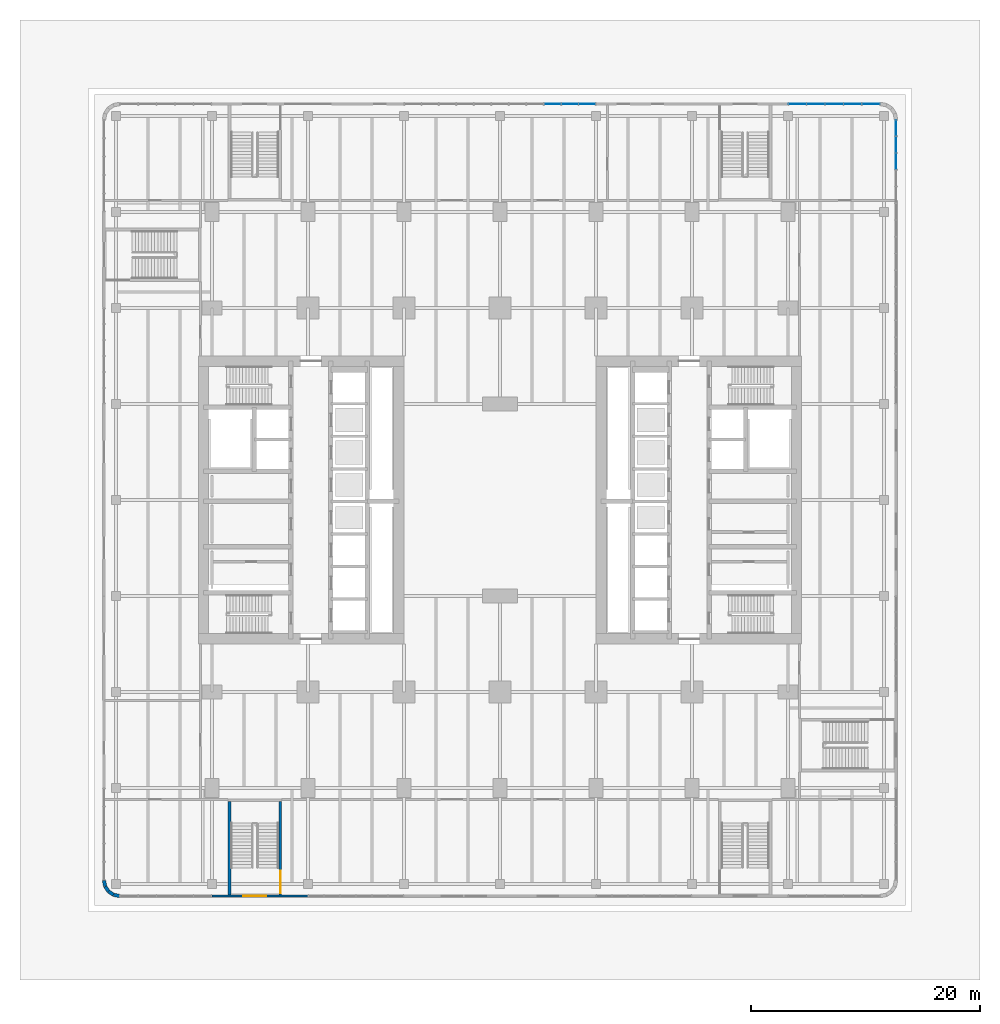
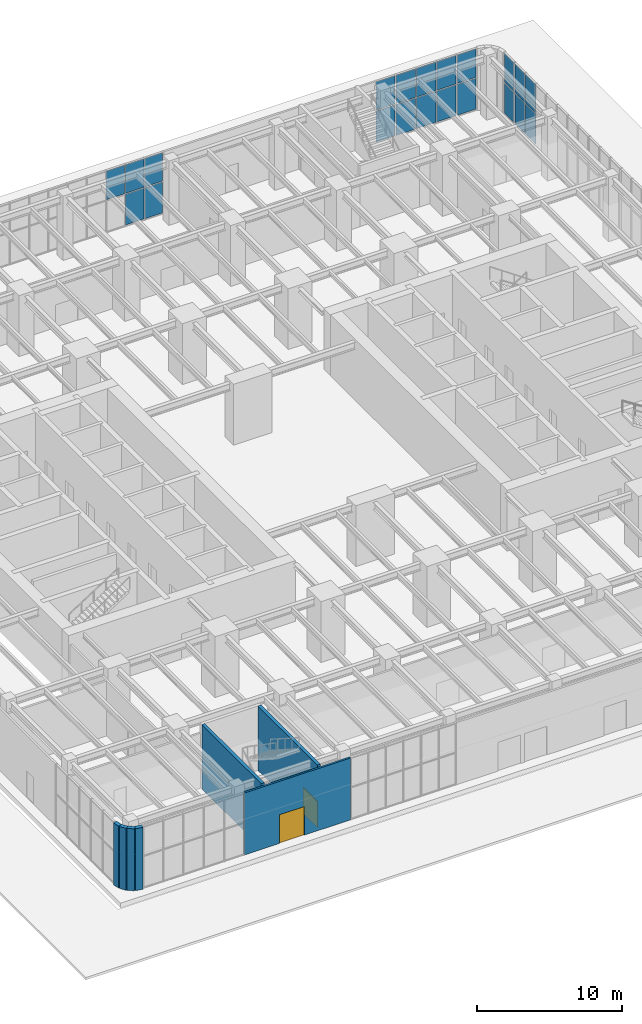
# One storey, part 17 of 31: 21 plates, 7 walls, 2 doors, 2 openings, 3 elements without a shape of their own.
"""IFC4 building model written with IfcOpenShell, lengths in metres."""

from ifc_helpers import new_model, si_unit, direction, frame, frame_2d, origin, origin_2d, place, context, subcontext, project, spatial, rectangle, extrude, material, layer, layer_set, type_object, element, fill, aggregate, save


model = new_model("IFC4")

# Units and contexts
model_context = context("Model", 3, precision=1e-05, world=origin(), true_north=direction((0.0, 1.0)))
body_context = subcontext(model_context, "Body", "Model", "MODEL_VIEW")
ifc_project = project(units=[si_unit("LENGTHUNIT", "METRE"), si_unit("AREAUNIT", "SQUARE_METRE"), si_unit("VOLUMEUNIT", "CUBIC_METRE"), si_unit("PLANEANGLEUNIT", "RADIAN"), si_unit("MASSUNIT", "GRAM", prefix="KILO")], contexts=[model_context])

# Site, building, storey
site_placement = place(None, origin())
site = spatial("IfcSite", under=ifc_project, at=site_placement, CompositionType="ELEMENT")
building_placement = place(site_placement, origin())
building = spatial("IfcBuilding", under=site, at=building_placement, Name="Claustro Exchange Tower", CompositionType="ELEMENT")
storey_placement = place(building_placement, origin())
storey = spatial("IfcBuildingStorey", under=building, at=storey_placement, Name="L00", CompositionType="ELEMENT", Elevation=0.0)

# Curtain wall, plates
ifc_material_1 = material(Name="Aluminium frame, clear double glazing", Category="aluminium")
curtain_wall_type = type_object("IfcCurtainWallType", Name="CW1 storefront curtain wall", PredefinedType="USERDEFINED", material=ifc_material_1)
curtain_wall_1_placement = place(storey_placement, origin())
curtain_wall_1 = element("IfcCurtainWall", 1, at=curtain_wall_1_placement, inside=storey, type_object=curtain_wall_type, Name="Curtain wall CW1 L00", ObjectType="STICK CURTAIN WALL", PredefinedType="USERDEFINED")
ifc_material_2 = material(Name="Clear double glazing", Category="glass")
ifc_layer_1 = layer(ifc_material_2, 0.031982421875)
ifc_layer_set_1 = layer_set([ifc_layer_1], Name="Clear double glazing")
plate_type = type_object("IfcPlateType", Name="CW1-P 32 glazed panel", PredefinedType="CURTAIN_PANEL", material=ifc_layer_set_1)
plate_1_placement = place(storey_placement, frame((29.78173828125, 59.85009765625, 2.7373046875), z_axis=(0.0, 0.0, 1.0), x_axis=(1.0, 0.0, 0.0)))
plate_1 = element("IfcPlate", 2, at=plate_1_placement, type_object=plate_type, Name="CW1 panel 9.2", PredefinedType="CURTAIN_PANEL", context=body_context, shape_type="SweptSolid", body=[
    extrude(rectangle(XDim=1.452392578125, YDim=0.031982421875, at=origin_2d()), origin(), (0.0, 0.0, 1.0), 2.387451171875),
])
plate_2_placement = place(storey_placement, frame((31.30908203125, 59.85009765625, 0.074951171875), z_axis=(0.0, 0.0, 1.0), x_axis=(1.0, 0.0, 0.0)))
plate_2 = element("IfcPlate", 3, at=plate_2_placement, type_object=plate_type, Name="CW1 panel 10.1", PredefinedType="CURTAIN_PANEL", context=body_context, shape_type="SweptSolid", body=[
    extrude(rectangle(XDim=1.452392578125, YDim=0.031982421875, at=origin_2d()), origin(), (0.0, 0.0, 1.0), 2.58740234375),
])
plate_3_placement = place(storey_placement, frame((31.30908203125, 59.85009765625, 2.7373046875), z_axis=(0.0, 0.0, 1.0), x_axis=(1.0, 0.0, 0.0)))
plate_3 = element("IfcPlate", 4, at=plate_3_placement, type_object=plate_type, Name="CW1 panel 10.2", PredefinedType="CURTAIN_PANEL", context=body_context, shape_type="SweptSolid", body=[
    extrude(rectangle(XDim=1.452392578125, YDim=0.031982421875, at=origin_2d()), origin(), (0.0, 0.0, 1.0), 2.387451171875),
])
plate_4_placement = place(storey_placement, frame((32.817626953125, 59.85009765625, 0.074951171875), z_axis=(0.0, 0.0, 1.0), x_axis=(1.0, 0.0, 0.0)))
plate_4 = element("IfcPlate", 5, at=plate_4_placement, type_object=plate_type, Name="CW1 panel 11.1", PredefinedType="CURTAIN_PANEL", context=body_context, shape_type="SweptSolid", body=[
    extrude(rectangle(XDim=1.414794921875, YDim=0.031982421875, at=origin_2d()), origin(), (0.0, 0.0, 1.0), 2.58740234375),
])
plate_5_placement = place(storey_placement, frame((32.817626953125, 59.85009765625, 2.7373046875), z_axis=(0.0, 0.0, 1.0), x_axis=(1.0, 0.0, 0.0)))
plate_5 = element("IfcPlate", 6, at=plate_5_placement, type_object=plate_type, Name="CW1 panel 11.2", PredefinedType="CURTAIN_PANEL", context=body_context, shape_type="SweptSolid", body=[
    extrude(rectangle(XDim=1.414794921875, YDim=0.031982421875, at=origin_2d()), origin(), (0.0, 0.0, 1.0), 2.387451171875),
])
aggregate(curtain_wall_1, [plate_1, plate_2, plate_3, plate_4, plate_5])

curtain_wall_2_placement = place(storey_placement, origin())
curtain_wall_2 = element("IfcCurtainWall", 7, at=curtain_wall_2_placement, inside=storey, type_object=curtain_wall_type, Name="Curtain wall CW1 L00", ObjectType="STICK CURTAIN WALL", PredefinedType="USERDEFINED")
plate_6_placement = place(storey_placement, frame((51.227294921875, 59.85009765625, 0.074951171875), z_axis=(0.0, 0.0, 1.0), x_axis=(1.0, 0.0, 0.0)))
plate_6 = element("IfcPlate", 8, at=plate_6_placement, type_object=plate_type, Name="CW1 panel 1.1", PredefinedType="CURTAIN_PANEL", context=body_context, shape_type="SweptSolid", body=[
    extrude(rectangle(XDim=1.504638671875, YDim=0.031982421875, at=origin_2d()), origin(), (0.0, 0.0, 1.0), 2.58740234375),
])
plate_7_placement = place(storey_placement, frame((51.227294921875, 59.85009765625, 2.7373046875), z_axis=(0.0, 0.0, 1.0), x_axis=(1.0, 0.0, 0.0)))
plate_7 = element("IfcPlate", 9, at=plate_7_placement, type_object=plate_type, Name="CW1 panel 1.2", PredefinedType="CURTAIN_PANEL", context=body_context, shape_type="SweptSolid", body=[
    extrude(rectangle(XDim=1.504638671875, YDim=0.031982421875, at=origin_2d()), origin(), (0.0, 0.0, 1.0), 2.387451171875),
])
plate_8_placement = place(storey_placement, frame((52.825439453125, 59.85009765625, 0.074951171875), z_axis=(0.0, 0.0, 1.0), x_axis=(1.0, 0.0, 0.0)))
plate_8 = element("IfcPlate", 10, at=plate_8_placement, type_object=plate_type, Name="CW1 panel 2.1", PredefinedType="CURTAIN_PANEL", context=body_context, shape_type="SweptSolid", body=[
    extrude(rectangle(XDim=1.5419921875, YDim=0.031982421875, at=origin_2d()), origin(), (0.0, 0.0, 1.0), 2.58740234375),
])
plate_9_placement = place(storey_placement, frame((52.825439453125, 59.85009765625, 2.7373046875), z_axis=(0.0, 0.0, 1.0), x_axis=(1.0, 0.0, 0.0)))
plate_9 = element("IfcPlate", 11, at=plate_9_placement, type_object=plate_type, Name="CW1 panel 2.2", PredefinedType="CURTAIN_PANEL", context=body_context, shape_type="SweptSolid", body=[
    extrude(rectangle(XDim=1.5419921875, YDim=0.031982421875, at=origin_2d()), origin(), (0.0, 0.0, 1.0), 2.387451171875),
])
plate_10_placement = place(storey_placement, frame((54.442626953125, 59.85009765625, 0.074951171875), z_axis=(0.0, 0.0, 1.0), x_axis=(1.0, 0.0, 0.0)))
plate_10 = element("IfcPlate", 12, at=plate_10_placement, type_object=plate_type, Name="CW1 panel 3.1", PredefinedType="CURTAIN_PANEL", context=body_context, shape_type="SweptSolid", body=[
    extrude(rectangle(XDim=1.5419921875, YDim=0.031982421875, at=origin_2d()), origin(), (0.0, 0.0, 1.0), 2.58740234375),
])
plate_11_placement = place(storey_placement, frame((54.442626953125, 59.85009765625, 2.7373046875), z_axis=(0.0, 0.0, 1.0), x_axis=(1.0, 0.0, 0.0)))
plate_11 = element("IfcPlate", 13, at=plate_11_placement, type_object=plate_type, Name="CW1 panel 3.2", PredefinedType="CURTAIN_PANEL", context=body_context, shape_type="SweptSolid", body=[
    extrude(rectangle(XDim=1.5419921875, YDim=0.031982421875, at=origin_2d()), origin(), (0.0, 0.0, 1.0), 2.387451171875),
])
plate_12_placement = place(storey_placement, frame((56.0595703125, 59.85009765625, 0.074951171875), z_axis=(0.0, 0.0, 1.0), x_axis=(1.0, 0.0, 0.0)))
plate_12 = element("IfcPlate", 14, at=plate_12_placement, type_object=plate_type, Name="CW1 panel 4.1", PredefinedType="CURTAIN_PANEL", context=body_context, shape_type="SweptSolid", body=[
    extrude(rectangle(XDim=1.5419921875, YDim=0.031982421875, at=origin_2d()), origin(), (0.0, 0.0, 1.0), 2.58740234375),
])
plate_13_placement = place(storey_placement, frame((56.0595703125, 59.85009765625, 2.7373046875), z_axis=(0.0, 0.0, 1.0), x_axis=(1.0, 0.0, 0.0)))
plate_13 = element("IfcPlate", 15, at=plate_13_placement, type_object=plate_type, Name="CW1 panel 4.2", PredefinedType="CURTAIN_PANEL", context=body_context, shape_type="SweptSolid", body=[
    extrude(rectangle(XDim=1.5419921875, YDim=0.031982421875, at=origin_2d()), origin(), (0.0, 0.0, 1.0), 2.387451171875),
])
plate_14_placement = place(storey_placement, frame((57.657958984375, 59.85009765625, 0.074951171875), z_axis=(0.0, 0.0, 1.0), x_axis=(1.0, 0.0, 0.0)))
plate_14 = element("IfcPlate", 16, at=plate_14_placement, type_object=plate_type, Name="CW1 panel 5.1", PredefinedType="CURTAIN_PANEL", context=body_context, shape_type="SweptSolid", body=[
    extrude(rectangle(XDim=1.504638671875, YDim=0.031982421875, at=origin_2d()), origin(), (0.0, 0.0, 1.0), 2.58740234375),
])
plate_15_placement = place(storey_placement, frame((57.657958984375, 59.85009765625, 2.7373046875), z_axis=(0.0, 0.0, 1.0), x_axis=(1.0, 0.0, 0.0)))
plate_15 = element("IfcPlate", 17, at=plate_15_placement, type_object=plate_type, Name="CW1 panel 5.2", PredefinedType="CURTAIN_PANEL", context=body_context, shape_type="SweptSolid", body=[
    extrude(rectangle(XDim=1.504638671875, YDim=0.031982421875, at=origin_2d()), origin(), (0.0, 0.0, 1.0), 2.387451171875),
])
aggregate(curtain_wall_2, [plate_6, plate_7, plate_8, plate_9, plate_10, plate_11, plate_12, plate_13, plate_14, plate_15])

curtain_wall_3_placement = place(storey_placement, origin())
curtain_wall_3 = element("IfcCurtainWall", 18, at=curtain_wall_3_placement, inside=storey, type_object=curtain_wall_type, Name="Curtain wall CW1 L00", ObjectType="STICK CURTAIN WALL", PredefinedType="USERDEFINED")
plate_16_placement = place(storey_placement, frame((59.85009765625, 54.82568359375, 0.074951171875), z_axis=(0.0, 0.0, 1.0), x_axis=(0.0, 1.0, 0.0)))
plate_16 = element("IfcPlate", 19, at=plate_16_placement, type_object=plate_type, Name="CW1 panel 15.1", PredefinedType="CURTAIN_PANEL", context=body_context, shape_type="SweptSolid", body=[
    extrude(rectangle(XDim=1.388916015625, YDim=0.031982421875, at=origin_2d()), origin(), (0.0, 0.0, 1.0), 2.58740234375),
])
plate_17_placement = place(storey_placement, frame((59.85009765625, 54.82568359375, 2.7373046875), z_axis=(0.0, 0.0, 1.0), x_axis=(0.0, 1.0, 0.0)))
plate_17 = element("IfcPlate", 20, at=plate_17_placement, type_object=plate_type, Name="CW1 panel 15.2", PredefinedType="CURTAIN_PANEL", context=body_context, shape_type="SweptSolid", body=[
    extrude(rectangle(XDim=1.388916015625, YDim=0.031982421875, at=origin_2d()), origin(), (0.0, 0.0, 1.0), 2.387451171875),
])
plate_18_placement = place(storey_placement, frame((59.85009765625, 56.28955078125, 0.074951171875), z_axis=(0.0, 0.0, 1.0), x_axis=(0.0, 1.0, 0.0)))
plate_18 = element("IfcPlate", 21, at=plate_18_placement, type_object=plate_type, Name="CW1 panel 16.1", PredefinedType="CURTAIN_PANEL", context=body_context, shape_type="SweptSolid", body=[
    extrude(rectangle(XDim=1.388916015625, YDim=0.031982421875, at=origin_2d()), origin(), (0.0, 0.0, 1.0), 2.58740234375),
])
plate_19_placement = place(storey_placement, frame((59.85009765625, 56.28955078125, 2.7373046875), z_axis=(0.0, 0.0, 1.0), x_axis=(0.0, 1.0, 0.0)))
plate_19 = element("IfcPlate", 22, at=plate_19_placement, type_object=plate_type, Name="CW1 panel 16.2", PredefinedType="CURTAIN_PANEL", context=body_context, shape_type="SweptSolid", body=[
    extrude(rectangle(XDim=1.388916015625, YDim=0.031982421875, at=origin_2d()), origin(), (0.0, 0.0, 1.0), 2.387451171875),
])
plate_20_placement = place(storey_placement, frame((59.85009765625, 57.734619140625, 0.074951171875), z_axis=(0.0, 0.0, 1.0), x_axis=(0.0, 1.0, 0.0)))
plate_20 = element("IfcPlate", 23, at=plate_20_placement, type_object=plate_type, Name="CW1 panel 17.1", PredefinedType="CURTAIN_PANEL", context=body_context, shape_type="SweptSolid", body=[
    extrude(rectangle(XDim=1.351318359375, YDim=0.031982421875, at=origin_2d()), origin(), (0.0, 0.0, 1.0), 2.58740234375),
])
plate_21_placement = place(storey_placement, frame((59.85009765625, 57.734619140625, 2.7373046875), z_axis=(0.0, 0.0, 1.0), x_axis=(0.0, 1.0, 0.0)))
plate_21 = element("IfcPlate", 24, at=plate_21_placement, type_object=plate_type, Name="CW1 panel 17.2", PredefinedType="CURTAIN_PANEL", context=body_context, shape_type="SweptSolid", body=[
    extrude(rectangle(XDim=1.351318359375, YDim=0.031982421875, at=origin_2d()), origin(), (0.0, 0.0, 1.0), 2.387451171875),
])
aggregate(curtain_wall_3, [plate_16, plate_17, plate_18, plate_19, plate_20, plate_21])

# Wall, opening, door
ifc_material_3 = material(Name="Aluminium frame, clear double glazing", Category="aluminium")
ifc_layer_2 = layer(ifc_material_3, 0.14990234375)
ifc_layer_set_2 = layer_set([ifc_layer_2], Name="Aluminium frame, clear double glazing")
wall_type_1 = type_object("IfcWallType", Name="GS1 150 glazed entrance screen", PredefinedType="SOLIDWALL", material=ifc_layer_set_2)
wall_1_placement = place(storey_placement, frame((0.0, -9.449951171875, 0.0), z_axis=(0.0, 0.0, 1.0), x_axis=(1.0, 0.0, 0.0)))
wall_1 = element("IfcWall", 25, at=wall_1_placement, inside=storey, type_object=wall_type_1, Name="Entrance screen GS1 L00", PredefinedType="SOLIDWALL", context=body_context, shape_type="SweptSolid", body=[
    extrude(rectangle(XDim=8.39990234375, YDim=0.14990234375, at=frame_2d((4.199951171875, 0.0))), origin(), (0.0, 0.0, 1.0), 5.199951171875),
])
opening_1_placement = place(wall_1_placement, frame((2.75, 0.0, 0.0)))
opening_1 = element("IfcOpeningElement", 26, at=opening_1_placement, cuts=wall_1, Name="Opening DE5", PredefinedType="OPENING", context=body_context, shape_type="SweptSolid", body=[
    extrude(rectangle(XDim=2.0, YDim=2.39990234375, at=frame_2d((1.0, 1.199951171875))), frame((0.0, 0.0849609375, 0.0), z_axis=(0.0, -1.0, 0.0), x_axis=(1.0, 0.0, 0.0)), (0.0, 0.0, 1.0), 0.169921875),
])
ifc_material_4 = material(Name="Steel door, painted", Category="steel")
door_type_1 = type_object("IfcDoorType", Name="DE5 2000 x 2400 external final exit double door", OperationType="DOUBLE_DOOR_SINGLE_SWING", PredefinedType="DOOR", material=ifc_material_4)
door_1_placement = place(opening_1_placement, frame((2.0, 0.0, 0.0), z_axis=(0.0, 0.0, 1.0), x_axis=(-1.0, 0.0, 0.0)))
door_1 = element("IfcDoor", 27, at=door_1_placement, inside=storey, type_object=door_type_1, Name="External door DE5 L00", OperationType="DOUBLE_DOOR_SINGLE_SWING", OverallHeight=2.39990234375, OverallWidth=2.0, PredefinedType="DOOR", context=body_context, shape_type="SweptSolid", body=[
    extrude(rectangle(XDim=2.0, YDim=2.39990234375, at=frame_2d((1.0, 1.199951171875))), frame((0.0, 0.02490234375, 0.0), z_axis=(0.0, -1.0, 0.0), x_axis=(1.0, 0.0, 0.0)), (0.0, 0.0, 1.0), 0.050048828125),
])
fill(opening_1, door_1)

# Walls
ifc_material_5 = material(Name="Concrete HA-40 (C40/50), precast, white cement, acid-etched", Category="concrete")
ifc_layer_3 = layer(ifc_material_5, 0.300048828125)
ifc_layer_set_3 = layer_set([ifc_layer_3], Name="Concrete HA-40 (C40/50), precast, white cement, acid-etched")
wall_type_2 = type_object("IfcWallType", Name="PC1 300 precast concrete pier panel", PredefinedType="SOLIDWALL", material=ifc_layer_set_3)
wall_2_placement = place(storey_placement, frame((-8.085205078125, -9.449951171875, 0.0), z_axis=(0.0, 0.0, 1.0), x_axis=(-0.980788534345, 0.195073962632, 0.0)))
element("IfcWall", 28, at=wall_2_placement, inside=storey, type_object=wall_type_2, Name="Precast pier panel PC1 L00", PredefinedType="SOLIDWALL", context=body_context, shape_type="SweptSolid", body=[
    extrude(rectangle(XDim=0.540771484375, YDim=0.300048828125, at=frame_2d((0.2705078125, 0.0))), origin(), (0.0, 0.0, 1.0), 5.199951171875),
])
for number, where, z_axis, x_axis, name in (
    (29, (-8.615478515625, -9.344482421875, 0.0), (0.0, 0.0, 1.0), (-0.831478144188, 0.555557463938, 0.0), "Precast pier panel PC1 L00"),
    (30, (-9.052490234375, -9.052490234375, 0.0), (0.0, 0.0, 1.0), (-0.555557463938, 0.831478144188, 0.0), "Precast pier panel PC1 L00"),
):
    element("IfcWall", number, at=place(storey_placement, frame(where, z_axis=z_axis, x_axis=x_axis)), inside=storey, type_object=wall_type_2, Name=name, PredefinedType="SOLIDWALL", context=body_context, shape_type="SweptSolid", body=[
        extrude(rectangle(XDim=0.525634765625, YDim=0.300048828125, at=frame_2d((0.2626953125, 0.0))), origin(), (0.0, 0.0, 1.0), 5.199951171875),
    ])
wall_3_placement = place(storey_placement, frame((-9.344482421875, -8.615478515625, 0.0), z_axis=(0.0, 0.0, 1.0), x_axis=(-0.195073962632, 0.980788534345, 0.0)))
element("IfcWall", 31, at=wall_3_placement, inside=storey, type_object=wall_type_2, Name="Precast pier panel PC1 L00", PredefinedType="SOLIDWALL", context=body_context, shape_type="SweptSolid", body=[
    extrude(rectangle(XDim=0.540771484375, YDim=0.300048828125, at=frame_2d((0.2705078125, 0.0))), origin(), (0.0, 0.0, 1.0), 5.199951171875),
])
ifc_material_6 = material(Name="Concrete HA-40 (C40/50)", Category="concrete")
ifc_layer_4 = layer(ifc_material_6, 0.25)
ifc_layer_set_4 = layer_set([ifc_layer_4], Name="Concrete HA-40 (C40/50)")
wall_type_3 = type_object("IfcWallType", Name="SW7 250 reinforced concrete stair wall", PredefinedType="SOLIDWALL", material=ifc_layer_set_4)
wall_4_placement = place(storey_placement, frame((1.52490234375, -9.3759765625, 0.0), z_axis=(0.0, 0.0, 1.0), x_axis=(0.0, 1.0, 0.0)))
element("IfcWall", 32, at=wall_4_placement, inside=storey, type_object=wall_type_3, Name="Stair enclosure wall STP1 SW7 L00", PredefinedType="SOLIDWALL", context=body_context, shape_type="SweptSolid", body=[
    extrude(rectangle(XDim=8.176025390625, YDim=0.25, at=frame_2d((4.087890625, 0.0))), origin(), (0.0, 0.0, 1.0), 5.39990234375),
])

# Wall, opening, door
wall_5_placement = place(storey_placement, frame((5.97509765625, -9.3759765625, 0.0), z_axis=(0.0, 0.0, 1.0), x_axis=(0.0, 1.0, 0.0)))
wall_5 = element("IfcWall", 33, at=wall_5_placement, inside=storey, type_object=wall_type_3, Name="Stair enclosure wall STP1 SW7 L00", PredefinedType="SOLIDWALL", context=body_context, shape_type="SweptSolid", body=[
    extrude(rectangle(XDim=8.176025390625, YDim=0.25, at=frame_2d((4.087890625, 0.0))), origin(), (0.0, 0.0, 1.0), 5.39990234375),
])
opening_2_placement = place(wall_5_placement, frame((0.14990234375, 0.0, 0.0)))
opening_2 = element("IfcOpeningElement", 34, at=opening_2_placement, cuts=wall_5, Name="Opening D11", PredefinedType="OPENING", context=body_context, shape_type="SweptSolid", body=[
    extrude(rectangle(XDim=2.0, YDim=2.199951171875, at=frame_2d((1.0, 1.10009765625))), frame((0.0, 0.135009765625, 0.0), z_axis=(0.0, -1.0, 0.0), x_axis=(1.0, 0.0, 0.0)), (0.0, 0.0, 1.0), 0.27001953125),
])
ifc_material_7 = material(Name="Steel fire door, painted", Category="steel")
door_type_2 = type_object("IfcDoorType", Name="D11 2000 x 2200 fire-rated stair double door", OperationType="DOUBLE_DOOR_SINGLE_SWING", PredefinedType="DOOR", material=ifc_material_7)
door_2_placement = place(opening_2_placement, frame((2.0, 0.0, 0.0), z_axis=(0.0, 0.0, 1.0), x_axis=(-1.0, 0.0, 0.0)))
door_2 = element("IfcDoor", 35, at=door_2_placement, inside=storey, type_object=door_type_2, Name="Stair door STP1 D11 L00", OperationType="DOUBLE_DOOR_SINGLE_SWING", OverallHeight=2.199951171875, OverallWidth=2.0, PredefinedType="DOOR", context=body_context, shape_type="SweptSolid", body=[
    extrude(rectangle(XDim=2.0, YDim=2.199951171875, at=frame_2d((1.0, 1.10009765625))), frame((0.0, 0.02490234375, 0.0), z_axis=(0.0, -1.0, 0.0), x_axis=(1.0, 0.0, 0.0)), (0.0, 0.0, 1.0), 0.050048828125),
])
fill(opening_2, door_2)

save(model, "model.ifc")
